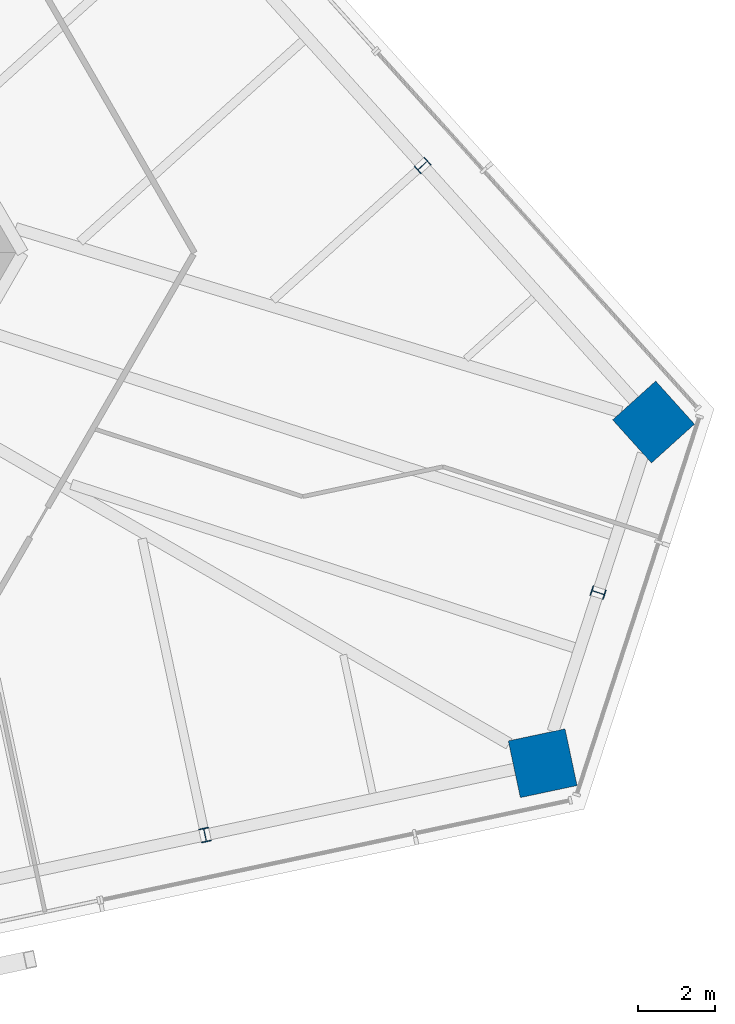
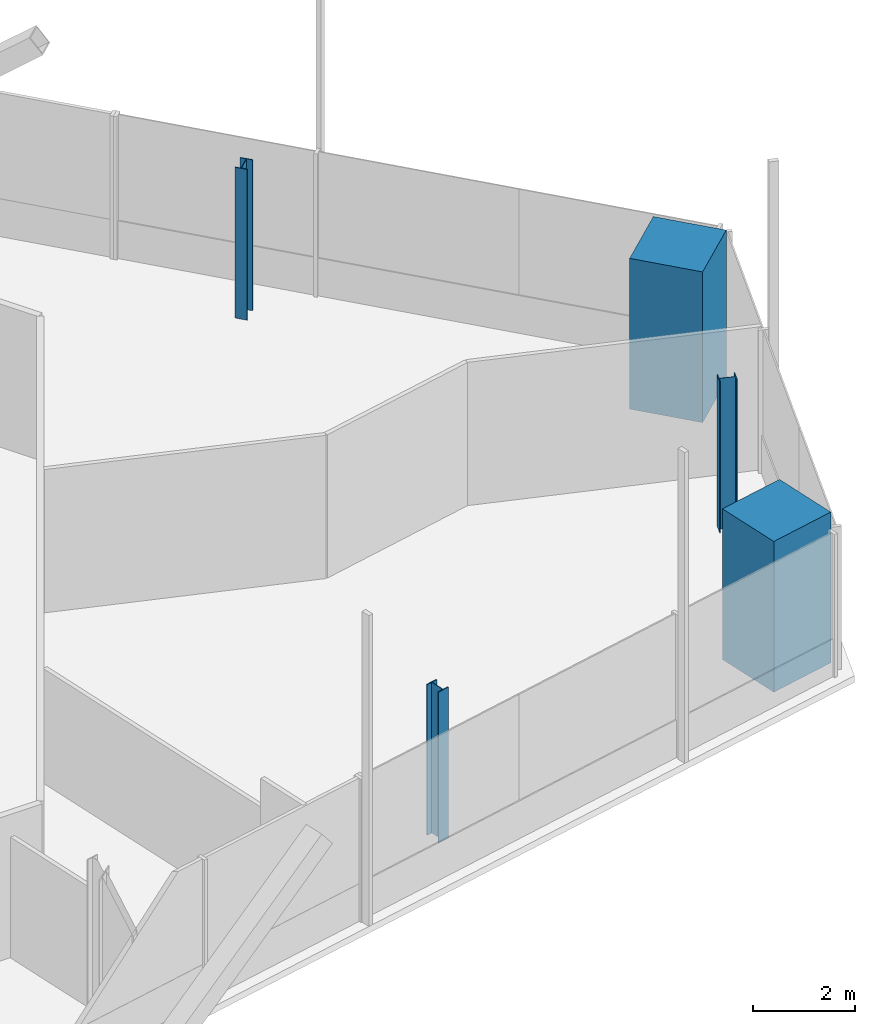
# One storey, part 2 of 17: 5 columns.
"""IFC4 building model written with IfcOpenShell, lengths in metres."""

from ifc_helpers import new_model, si_unit, direction, frame, origin, origin_2d, place, context, subcontext, project, spatial, rectangle, i_section, extrude, source, transform, mapped, material, material_profile, profile_set, type_object, element, save


model = new_model("IFC4")

# Units and contexts
model_context = context("Model", 3, precision=1e-05, world=origin(), true_north=direction((0.0, 1.0)))
body_context = subcontext(model_context, "Body", "Model", "MODEL_VIEW")
ifc_project = project(units=[si_unit("LENGTHUNIT", "METRE"), si_unit("AREAUNIT", "SQUARE_METRE"), si_unit("VOLUMEUNIT", "CUBIC_METRE"), si_unit("PLANEANGLEUNIT", "RADIAN"), si_unit("MASSUNIT", "GRAM", prefix="KILO")], contexts=[model_context])

# Site, building, storey
site_placement = place(None, origin())
site = spatial("IfcSite", under=ifc_project, at=site_placement, CompositionType="ELEMENT")
building_placement = place(site_placement, origin())
building = spatial("IfcBuilding", under=site, at=building_placement, Name="Triune Harvest Tower", CompositionType="ELEMENT")
storey_placement = place(building_placement, frame((0.0, 0.0, 281.10009765625)))
storey = spatial("IfcBuildingStorey", under=building, at=storey_placement, Name="L74", CompositionType="ELEMENT", Elevation=281.10009765625)

# Columns
ifc_material_1 = material(Name="Concrete 70 MPa", Category="concrete")
ifc_material_profile_1 = material_profile(ifc_material_1, rectangle(XDim=1.5, YDim=1.5, at=origin_2d()), Name="Composite 1500x1500")
ifc_profile_set_1 = profile_set([ifc_material_profile_1], Name="Concrete 70 MPa")
column_type_1 = type_object("IfcColumnType", Name="MC-7 Mega column Composite 1500x1500", PredefinedType="COLUMN", material=ifc_profile_set_1)
shared_shape_1 = source(origin(), body_context, "Body", "SweptSolid", [
    extrude(rectangle(XDim=1.5, YDim=1.5, at=origin_2d()), origin(), (0.0, 0.0, 1.0), 3.599853515625),
])
for number, where, z_axis, x_axis, name in (
    (1, (28.4931640625, -4.379150390625, 0.0), (0.0, 0.0, 1.0), (-0.669130606359, 0.743144825477, 0.0), "col/L74/M0"),
    (2, (25.62548828125, -13.205078125, 0.0), (0.0, 0.0, 1.0), (0.978147237858, 0.207913398007, 0.0), "col/L74/M19"),
):
    element("IfcColumn", number, at=place(storey_placement, frame(where, z_axis=z_axis, x_axis=x_axis)), inside=storey, type_object=column_type_1, Name=name, PredefinedType="COLUMN", context=body_context, shape_type="MappedRepresentation", body=[
        mapped(shared_shape_1, transform((0.0, 0.0, 0.0), scale=1.0)),
    ])
ifc_material_2 = material(Name="Steel ASTM A992 Gr 50", Category="steel")
ifc_material_profile_2 = material_profile(ifc_material_2, i_section(OverallWidth=0.256591796875, OverallDepth=0.360595703125, WebThickness=0.011474609375, FlangeThickness=0.02001953125, at=origin_2d()), Name="W14x74")
ifc_profile_set_2 = profile_set([ifc_material_profile_2], Name="Steel ASTM A992 Gr 50")
column_type_2 = type_object("IfcColumnType", Name="PC-7 Perimeter column W14x74", PredefinedType="COLUMN", material=ifc_profile_set_2)
shared_shape_2 = source(origin(), body_context, "Body", "SweptSolid", [
    extrude(i_section(OverallWidth=0.256591796875, OverallDepth=0.360595703125, WebThickness=0.011474609375, FlangeThickness=0.02001953125, at=origin_2d()), origin(), (0.0, 0.0, 1.0), 3.599853515625),
])
for number, where, z_axis, x_axis, name in (
    (3, (22.519287109375, 2.255615234375, 0.0), (0.0, 0.0, 1.0), (-0.669130606359, 0.743144825477, 0.0), "col/L74/P1"),
    (4, (16.892578125, -15.061279296875, 0.0), (0.0, 0.0, 1.0), (0.978147237858, 0.207913398007, 0.0), "col/L74/P18"),
    (5, (27.059326171875, -8.7919921875, 0.0), (0.0, 0.0, 1.0), (0.309016994375, 0.951056516295, 0.0), "col/L74/P20"),
):
    element("IfcColumn", number, at=place(storey_placement, frame(where, z_axis=z_axis, x_axis=x_axis)), inside=storey, type_object=column_type_2, Name=name, PredefinedType="COLUMN", context=body_context, shape_type="MappedRepresentation", body=[
        mapped(shared_shape_2, transform((0.0, 0.0, 0.0), scale=1.0)),
    ])

save(model, "model.ifc")
